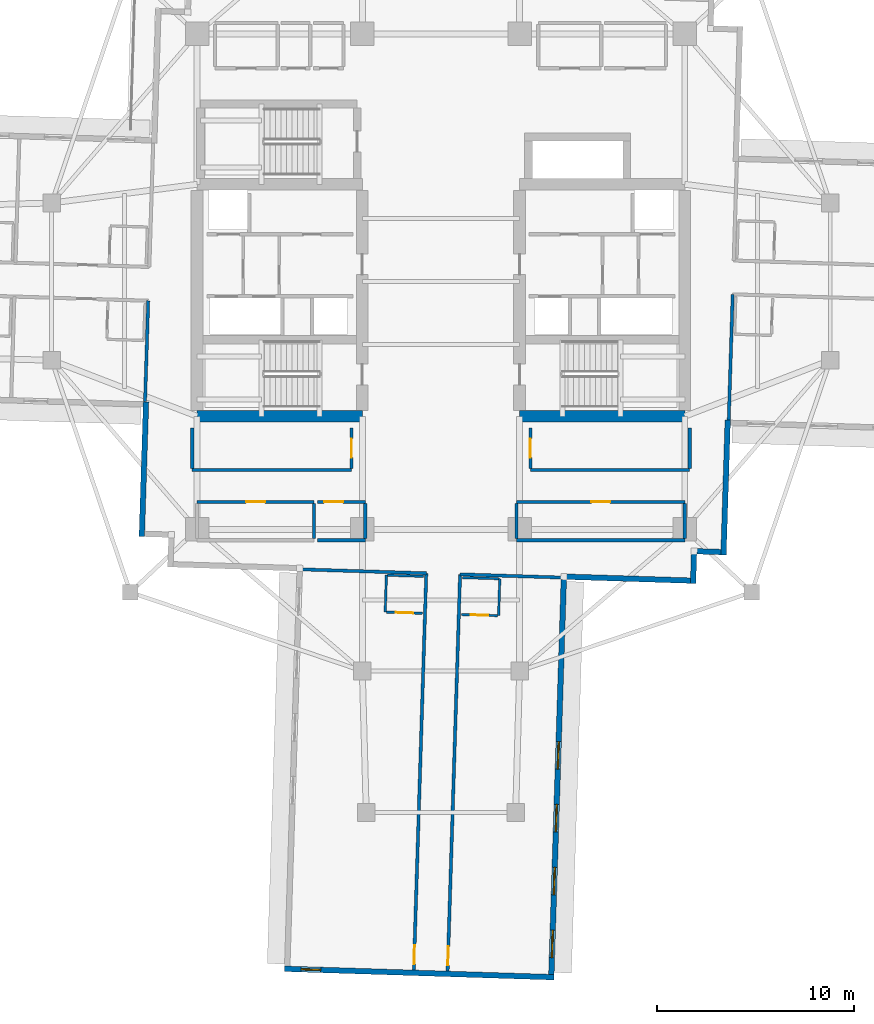
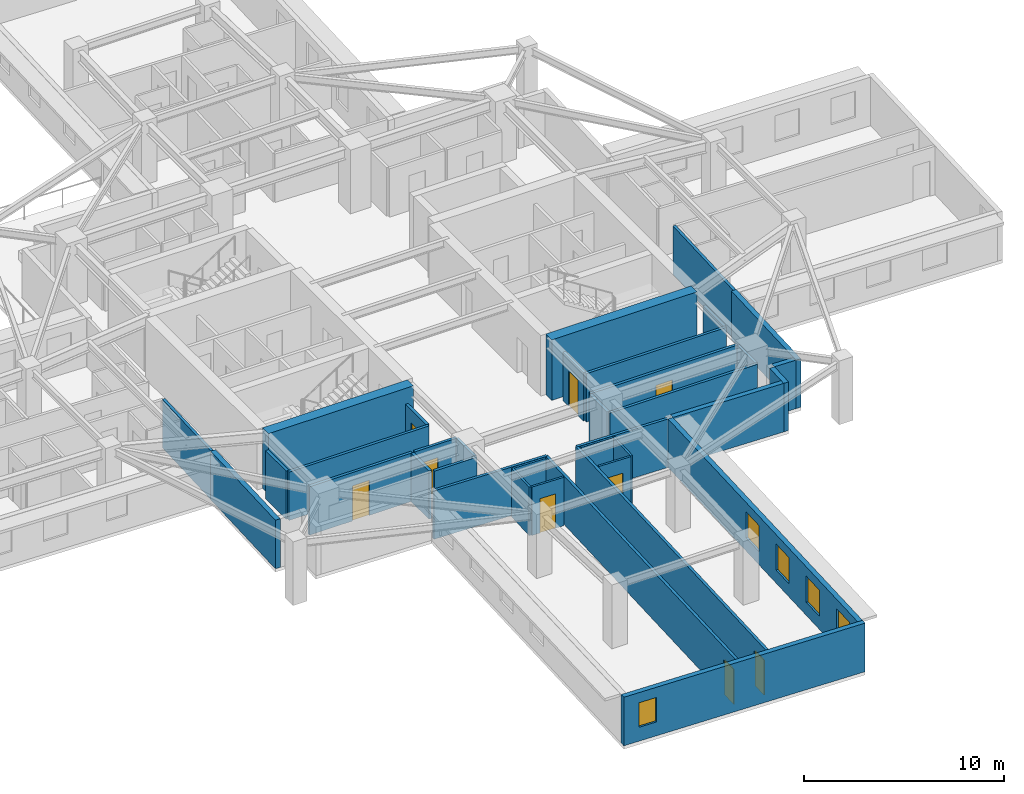
# One storey, part 3 of 13: 36 walls, 9 doors, 5 windows, 14 openings.
"""IFC4 building model written with IfcOpenShell, lengths in metres."""

from ifc_helpers import new_model, si_unit, direction, frame, frame_2d, origin, place, context, subcontext, project, spatial, rectangle, extrude, material, layer, layer_set, type_object, element, fill, save


model = new_model("IFC4")

# Units and contexts
model_context = context("Model", 3, precision=1e-05, world=origin(), true_north=direction((0.0, 1.0)))
body_context = subcontext(model_context, "Body", "Model", "MODEL_VIEW")
ifc_project = project(units=[si_unit("LENGTHUNIT", "METRE"), si_unit("AREAUNIT", "SQUARE_METRE"), si_unit("VOLUMEUNIT", "CUBIC_METRE"), si_unit("PLANEANGLEUNIT", "RADIAN"), si_unit("MASSUNIT", "GRAM", prefix="KILO")], contexts=[model_context])

# Site, building, storey
site_placement = place(None, origin())
site = spatial("IfcSite", under=ifc_project, at=site_placement, CompositionType="ELEMENT")
building_placement = place(site_placement, origin())
building = spatial("IfcBuilding", under=site, at=building_placement, Name="Qingluan Cross Belvedere", CompositionType="ELEMENT")
storey_placement = place(building_placement, frame((0.0, 0.0, 152.699951171875)))
storey = spatial("IfcBuildingStorey", under=building, at=storey_placement, Name="L38", CompositionType="ELEMENT", Elevation=152.699951171875)

# Walls
ifc_material_1 = material(Name="Concrete C60", Category="concrete")
ifc_layer_1 = layer(ifc_material_1, 0.60009765625, Name="CoreShearWall_600")
ifc_layer_set_1 = layer_set([ifc_layer_1], Name="Concrete C60")
wall_type_1 = type_object("IfcWallType", Name="CoreShearWall_600", PredefinedType="SHEAR", material=ifc_layer_set_1)
for number, where, z_axis, x_axis, name in (
    (1, (-12.39990234375, -6.85009765625, 0.0), (0.0, 0.0, 1.0), (1.0, 0.0, 0.0), "Split core W shear wall L38-S"),
    (2, (4.0, -6.85009765625, 0.0), (0.0, 0.0, 1.0), (1.0, 0.0, 0.0), "Split core E shear wall L38-S"),
):
    element("IfcWall", number, at=place(storey_placement, frame(where, z_axis=z_axis, x_axis=x_axis)), inside=storey, type_object=wall_type_1, Name=name, PredefinedType="SHEAR", context=body_context, shape_type="SweptSolid", body=[
        extrude(rectangle(XDim=8.39990234375, YDim=0.60009765625, at=frame_2d((4.199951171875, 0.0))), origin(), (0.0, 0.0, 1.0), 3.699951171875),
    ])

# Wall, opening, door
ifc_material_2 = material(Name="Gypsum plasterboard on steel stud acoustic partition", Category="steel")
ifc_layer_2 = layer(ifc_material_2, 0.159912109375, Name="CorridorPartition_160")
ifc_layer_set_2 = layer_set([ifc_layer_2], Name="Gypsum plasterboard on steel stud acoustic partition")
wall_type_2 = type_object("IfcWallType", Name="CorridorPartition_160", PredefinedType="PARTITIONING", material=ifc_layer_set_2)
wall_1_placement = place(storey_placement, frame((-12.39990234375, -11.199951171875, 0.0), z_axis=(0.0, 0.0, 1.0), x_axis=(1.0, 0.0, 0.0)))
wall_1 = element("IfcWall", 3, at=wall_1_placement, inside=storey, type_object=wall_type_2, Name="Partition L38:q_sw1:N", PredefinedType="PARTITIONING", context=body_context, shape_type="SweptSolid", body=[
    extrude(rectangle(XDim=5.949951171875, YDim=0.159912109375, at=frame_2d((2.97509765625, 0.0))), origin(), (0.0, 0.0, 1.0), 2.9599609375),
])
opening_1_placement = place(wall_1_placement, frame((2.4951171875, 0.0, 0.0)))
opening_1 = element("IfcOpeningElement", 4, at=opening_1_placement, cuts=wall_1, Name="Opening GD-10", PredefinedType="OPENING", context=body_context, shape_type="SweptSolid", body=[
    extrude(rectangle(XDim=0.9599609375, YDim=2.14990234375, at=frame_2d((0.47998046875, 1.074951171875))), frame((0.0, 0.08984375, 0.0), z_axis=(0.0, -1.0, 0.0), x_axis=(1.0, 0.0, 0.0)), (0.0, 0.0, 1.0), 0.179931640625),
])
ifc_material_3 = material(Name="Timber oak fire-rated acoustic guestroom door", Category="wood")
door_type_1 = type_object("IfcDoorType", Name="GuestEntryDoor_FD60", OperationType="NOTDEFINED", PredefinedType="DOOR", material=ifc_material_3)
door_1_placement = place(opening_1_placement, origin())
door_1 = element("IfcDoor", 5, at=door_1_placement, inside=storey, type_object=door_type_1, Name="Quiet coworking office L38 door", OperationType="SINGLE_SWING_LEFT", OverallHeight=2.14990234375, OverallWidth=0.9599609375, PredefinedType="DOOR", context=body_context, shape_type="SweptSolid", body=[
    extrude(rectangle(XDim=0.9599609375, YDim=2.14990234375, at=frame_2d((0.47998046875, 1.074951171875))), frame((0.0, 0.02490234375, 0.0), z_axis=(0.0, -1.0, 0.0), x_axis=(1.0, 0.0, 0.0)), (0.0, 0.0, 1.0), 0.050048828125),
])
fill(opening_1, door_1)

# Walls
wall_2_placement = place(storey_placement, frame((-6.449951171875, -13.06494140625, 0.0), z_axis=(0.0, 0.0, 1.0), x_axis=(0.0, 1.0, 0.0)))
element("IfcWall", 6, at=wall_2_placement, inside=storey, type_object=wall_type_2, Name="Partition L38:q_sw1:E", PredefinedType="PARTITIONING", context=body_context, shape_type="SweptSolid", body=[
    extrude(rectangle(XDim=1.780029296875, YDim=0.159912109375, at=frame_2d((0.89013671875, 0.0))), origin(), (0.0, 0.0, 1.0), 2.9599609375),
])
wall_3_placement = place(storey_placement, frame((-6.2900390625, -13.14990234375, 0.0), z_axis=(0.0, 0.0, 1.0), x_axis=(1.0, 0.0, 0.0)))
element("IfcWall", 7, at=wall_3_placement, inside=storey, type_object=wall_type_2, Name="Partition L38:q_sw2:S", PredefinedType="PARTITIONING", context=body_context, shape_type="SweptSolid", body=[
    extrude(rectangle(XDim=2.43994140625, YDim=0.159912109375, at=frame_2d((1.219970703125, 0.0))), origin(), (0.0, 0.0, 1.0), 2.9599609375),
])

# Wall, opening, door
wall_4_placement = place(storey_placement, frame((-6.2900390625, -11.199951171875, 0.0), z_axis=(0.0, 0.0, 1.0), x_axis=(1.0, 0.0, 0.0)))
wall_4 = element("IfcWall", 8, at=wall_4_placement, inside=storey, type_object=wall_type_2, Name="Partition L38:q_sw2:N", PredefinedType="PARTITIONING", context=body_context, shape_type="SweptSolid", body=[
    extrude(rectangle(XDim=2.43994140625, YDim=0.159912109375, at=frame_2d((1.219970703125, 0.0))), origin(), (0.0, 0.0, 1.0), 2.9599609375),
])
opening_2_placement = place(wall_4_placement, frame((0.35009765625, 0.0, 0.0)))
opening_2 = element("IfcOpeningElement", 9, at=opening_2_placement, cuts=wall_4, Name="Opening GD-10", PredefinedType="OPENING", context=body_context, shape_type="SweptSolid", body=[
    extrude(rectangle(XDim=0.9599609375, YDim=2.14990234375, at=frame_2d((0.47998046875, 1.074951171875))), frame((0.0, 0.08984375, 0.0), z_axis=(0.0, -1.0, 0.0), x_axis=(1.0, 0.0, 0.0)), (0.0, 0.0, 1.0), 0.179931640625),
])
door_2_placement = place(opening_2_placement, origin())
door_2 = element("IfcDoor", 10, at=door_2_placement, inside=storey, type_object=door_type_1, Name="Southwest reading room L38 door", OperationType="SINGLE_SWING_RIGHT", OverallHeight=2.14990234375, OverallWidth=0.9599609375, PredefinedType="DOOR", context=body_context, shape_type="SweptSolid", body=[
    extrude(rectangle(XDim=0.9599609375, YDim=2.14990234375, at=frame_2d((0.47998046875, 1.074951171875))), frame((0.0, 0.02490234375, 0.0), z_axis=(0.0, -1.0, 0.0), x_axis=(1.0, 0.0, 0.0)), (0.0, 0.0, 1.0), 0.050048828125),
])
fill(opening_2, door_2)

# Walls
wall_5_placement = place(storey_placement, frame((-3.85009765625, -13.06494140625, 0.0), z_axis=(0.0, 0.0, 1.0), x_axis=(0.0, 1.0, 0.0)))
element("IfcWall", 11, at=wall_5_placement, inside=storey, type_object=wall_type_2, Name="Partition L38:q_sw2:E", PredefinedType="PARTITIONING", context=body_context, shape_type="SweptSolid", body=[
    extrude(rectangle(XDim=1.780029296875, YDim=0.159912109375, at=frame_2d((0.89013671875, 0.0))), origin(), (0.0, 0.0, 1.0), 2.9599609375),
])
wall_6_placement = place(storey_placement, frame((3.85009765625, -13.14990234375, 0.0), z_axis=(0.0, 0.0, 1.0), x_axis=(1.0, 0.0, 0.0)))
element("IfcWall", 12, at=wall_6_placement, inside=storey, type_object=wall_type_2, Name="Partition L38:q_se:S", PredefinedType="PARTITIONING", context=body_context, shape_type="SweptSolid", body=[
    extrude(rectangle(XDim=8.5498046875, YDim=0.159912109375, at=frame_2d((4.27490234375, 0.0))), origin(), (0.0, 0.0, 1.0), 2.9599609375),
])

# Wall, opening, door
wall_7_placement = place(storey_placement, frame((3.85009765625, -11.199951171875, 0.0), z_axis=(0.0, 0.0, 1.0), x_axis=(1.0, 0.0, 0.0)))
wall_7 = element("IfcWall", 13, at=wall_7_placement, inside=storey, type_object=wall_type_2, Name="Partition L38:q_se:N", PredefinedType="PARTITIONING", context=body_context, shape_type="SweptSolid", body=[
    extrude(rectangle(XDim=8.5498046875, YDim=0.159912109375, at=frame_2d((4.27490234375, 0.0))), origin(), (0.0, 0.0, 1.0), 2.9599609375),
])
opening_3_placement = place(wall_7_placement, frame((3.794921875, 0.0, 0.0)))
opening_3 = element("IfcOpeningElement", 14, at=opening_3_placement, cuts=wall_7, Name="Opening GD-10", PredefinedType="OPENING", context=body_context, shape_type="SweptSolid", body=[
    extrude(rectangle(XDim=0.9599609375, YDim=2.14990234375, at=frame_2d((0.47998046875, 1.074951171875))), frame((0.0, 0.08984375, 0.0), z_axis=(0.0, -1.0, 0.0), x_axis=(1.0, 0.0, 0.0)), (0.0, 0.0, 1.0), 0.179931640625),
])
door_3_placement = place(opening_3_placement, origin())
door_3 = element("IfcDoor", 15, at=door_3_placement, inside=storey, type_object=door_type_1, Name="Espresso servery pantry L38 door", OperationType="SINGLE_SWING_LEFT", OverallHeight=2.14990234375, OverallWidth=0.9599609375, PredefinedType="DOOR", context=body_context, shape_type="SweptSolid", body=[
    extrude(rectangle(XDim=0.9599609375, YDim=2.14990234375, at=frame_2d((0.47998046875, 1.074951171875))), frame((0.0, 0.02490234375, 0.0), z_axis=(0.0, -1.0, 0.0), x_axis=(1.0, 0.0, 0.0)), (0.0, 0.0, 1.0), 0.050048828125),
])
fill(opening_3, door_3)

# Walls
for number, where, z_axis, x_axis, name in (
    (16, (3.85009765625, -13.06494140625, 0.0), (0.0, 0.0, 1.0), (0.0, 1.0, 0.0), "Partition L38:q_se:W"),
    (17, (12.39990234375, -13.06494140625, 0.0), (0.0, 0.0, 1.0), (0.0, 1.0, 0.0), "Partition L38:q_se:E"),
):
    element("IfcWall", number, at=place(storey_placement, frame(where, z_axis=z_axis, x_axis=x_axis)), inside=storey, type_object=wall_type_2, Name=name, PredefinedType="PARTITIONING", context=body_context, shape_type="SweptSolid", body=[
        extrude(rectangle(XDim=1.780029296875, YDim=0.159912109375, at=frame_2d((0.89013671875, 0.0))), origin(), (0.0, 0.0, 1.0), 2.9599609375),
    ])
wall_8_placement = place(storey_placement, frame((4.550048828125, -9.580078125, 0.0), z_axis=(0.0, 0.0, 1.0), x_axis=(1.0, 0.0, 0.0)))
element("IfcWall", 18, at=wall_8_placement, inside=storey, type_object=wall_type_2, Name="Partition L38:rec_st4:S", PredefinedType="PARTITIONING", context=body_context, shape_type="SweptSolid", body=[
    extrude(rectangle(XDim=8.099853515625, YDim=0.159912109375, at=frame_2d((4.0498046875, 0.0))), origin(), (0.0, 0.0, 1.0), 2.9599609375),
])

# Wall, opening, door
wall_9_placement = place(storey_placement, frame((4.550048828125, -9.4951171875, 0.0), z_axis=(0.0, 0.0, 1.0), x_axis=(0.0, 1.0, 0.0)))
wall_9 = element("IfcWall", 19, at=wall_9_placement, inside=storey, type_object=wall_type_2, Name="Partition L38:rec_st4:W", PredefinedType="PARTITIONING", context=body_context, shape_type="SweptSolid", body=[
    extrude(rectangle(XDim=2.06005859375, YDim=0.159912109375, at=frame_2d((1.030029296875, 0.0))), origin(), (0.0, 0.0, 1.0), 2.9599609375),
])
opening_4_placement = place(wall_9_placement, frame((0.550048828125, 0.0, 0.0)))
opening_4 = element("IfcOpeningElement", 20, at=opening_4_placement, cuts=wall_9, Name="Opening GD-10", PredefinedType="OPENING", context=body_context, shape_type="SweptSolid", body=[
    extrude(rectangle(XDim=0.9599609375, YDim=2.14990234375, at=frame_2d((0.47998046875, 1.074951171875))), frame((0.0, 0.08984375, 0.0), z_axis=(0.0, -1.0, 0.0), x_axis=(1.0, 0.0, 0.0)), (0.0, 0.0, 1.0), 0.179931640625),
])
door_4_placement = place(opening_4_placement, origin())
door_4 = element("IfcDoor", 21, at=door_4_placement, inside=storey, type_object=door_type_1, Name="Southeast club library room L38 door", OperationType="SINGLE_SWING_RIGHT", OverallHeight=2.14990234375, OverallWidth=0.9599609375, PredefinedType="DOOR", context=body_context, shape_type="SweptSolid", body=[
    extrude(rectangle(XDim=0.9599609375, YDim=2.14990234375, at=frame_2d((0.47998046875, 1.074951171875))), frame((0.0, 0.02490234375, 0.0), z_axis=(0.0, -1.0, 0.0), x_axis=(1.0, 0.0, 0.0)), (0.0, 0.0, 1.0), 0.050048828125),
])
fill(opening_4, door_4)

# Walls
wall_10_placement = place(storey_placement, frame((12.64990234375, -9.4951171875, 0.0), z_axis=(0.0, 0.0, 1.0), x_axis=(0.0, 1.0, 0.0)))
element("IfcWall", 22, at=wall_10_placement, inside=storey, type_object=wall_type_2, Name="Partition L38:rec_st4:E", PredefinedType="PARTITIONING", context=body_context, shape_type="SweptSolid", body=[
    extrude(rectangle(XDim=2.06005859375, YDim=0.159912109375, at=frame_2d((1.030029296875, 0.0))), origin(), (0.0, 0.0, 1.0), 2.9599609375),
])
wall_11_placement = place(storey_placement, frame((-12.64990234375, -9.580078125, 0.0), z_axis=(0.0, 0.0, 1.0), x_axis=(1.0, 0.0, 0.0)))
element("IfcWall", 23, at=wall_11_placement, inside=storey, type_object=wall_type_2, Name="Partition L38:rec_st4_w:S", PredefinedType="PARTITIONING", context=body_context, shape_type="SweptSolid", body=[
    extrude(rectangle(XDim=8.099853515625, YDim=0.159912109375, at=frame_2d((4.0498046875, 0.0))), origin(), (0.0, 0.0, 1.0), 2.9599609375),
])
wall_12_placement = place(storey_placement, frame((-12.64990234375, -9.4951171875, 0.0), z_axis=(0.0, 0.0, 1.0), x_axis=(0.0, 1.0, 0.0)))
element("IfcWall", 24, at=wall_12_placement, inside=storey, type_object=wall_type_2, Name="Partition L38:rec_st4_w:W", PredefinedType="PARTITIONING", context=body_context, shape_type="SweptSolid", body=[
    extrude(rectangle(XDim=2.06005859375, YDim=0.159912109375, at=frame_2d((1.030029296875, 0.0))), origin(), (0.0, 0.0, 1.0), 2.9599609375),
])

# Wall, opening, door
wall_13_placement = place(storey_placement, frame((-4.550048828125, -9.4951171875, 0.0), z_axis=(0.0, 0.0, 1.0), x_axis=(0.0, 1.0, 0.0)))
wall_13 = element("IfcWall", 25, at=wall_13_placement, inside=storey, type_object=wall_type_2, Name="Partition L38:rec_st4_w:E", PredefinedType="PARTITIONING", context=body_context, shape_type="SweptSolid", body=[
    extrude(rectangle(XDim=2.06005859375, YDim=0.159912109375, at=frame_2d((1.030029296875, 0.0))), origin(), (0.0, 0.0, 1.0), 2.9599609375),
])
opening_5_placement = place(wall_13_placement, frame((0.550048828125, 0.0, 0.0)))
opening_5 = element("IfcOpeningElement", 26, at=opening_5_placement, cuts=wall_13, Name="Opening GD-10", PredefinedType="OPENING", context=body_context, shape_type="SweptSolid", body=[
    extrude(rectangle(XDim=0.9599609375, YDim=2.14990234375, at=frame_2d((0.47998046875, 1.074951171875))), frame((0.0, 0.08984375, 0.0), z_axis=(0.0, -1.0, 0.0), x_axis=(1.0, 0.0, 0.0)), (0.0, 0.0, 1.0), 0.179931640625),
])
door_5_placement = place(opening_5_placement, origin())
door_5 = element("IfcDoor", 27, at=door_5_placement, inside=storey, type_object=door_type_1, Name="Southwest club reading room L38 door", OperationType="SINGLE_SWING_LEFT", OverallHeight=2.14990234375, OverallWidth=0.9599609375, PredefinedType="DOOR", context=body_context, shape_type="SweptSolid", body=[
    extrude(rectangle(XDim=0.9599609375, YDim=2.14990234375, at=frame_2d((0.47998046875, 1.074951171875))), frame((0.0, 0.02490234375, 0.0), z_axis=(0.0, -1.0, 0.0), x_axis=(1.0, 0.0, 0.0)), (0.0, 0.0, 1.0), 0.050048828125),
])
fill(opening_5, door_5)

# Walls
wall_14_placement = place(storey_placement, frame((14.8369140625, -0.646484375, 0.0), z_axis=(0.0, 0.0, 1.0), x_axis=(-0.03139692563, -0.999506995004, 0.0)))
element("IfcWall", 28, at=wall_14_placement, inside=storey, type_object=wall_type_2, Name="Partition L38:E:s1", PredefinedType="PARTITIONING", context=body_context, shape_type="SweptSolid", body=[
    extrude(rectangle(XDim=6.391845703125, YDim=0.159912109375, at=frame_2d((3.19580078125, 0.0))), origin(), (0.0, 0.0, 1.0), 2.9599609375),
])
wall_15_placement = place(storey_placement, frame((-14.887939453125, -0.972900390625, 0.0), z_axis=(0.0, 0.0, 1.0), x_axis=(-0.031445650224, -0.999505463258, 0.0)))
element("IfcWall", 29, at=wall_15_placement, inside=storey, type_object=wall_type_2, Name="Partition L38:W:s1", PredefinedType="PARTITIONING", context=body_context, shape_type="SweptSolid", body=[
    extrude(rectangle(XDim=5.1318359375, YDim=0.159912109375, at=frame_2d((2.56591796875, 0.0))), origin(), (0.0, 0.0, 1.0), 2.9599609375),
])

# Wall, opening, door
wall_16_placement = place(storey_placement, frame((0.972900390625, -14.887939453125, 0.0), z_axis=(0.0, 0.0, 1.0), x_axis=(-0.031416030536, -0.99950639469, 0.0)))
wall_16 = element("IfcWall", 30, at=wall_16_placement, inside=storey, type_object=wall_type_2, Name="Partition L38:S:c0", PredefinedType="PARTITIONING", context=body_context, shape_type="SweptSolid", body=[
    extrude(rectangle(XDim=20.181884765625, YDim=0.159912109375, at=frame_2d((10.0908203125, 0.0))), origin(), (0.0, 0.0, 1.0), 2.9599609375),
])
opening_6_placement = place(wall_16_placement, frame((18.929931640625, 0.0, 0.0)))
opening_6 = element("IfcOpeningElement", 31, at=opening_6_placement, cuts=wall_16, Name="Opening GD-10", PredefinedType="OPENING", context=body_context, shape_type="SweptSolid", body=[
    extrude(rectangle(XDim=0.9599609375, YDim=2.14990234375, at=frame_2d((0.47998046875, 1.074951171875))), frame((0.0, 0.08984375, 0.0), z_axis=(0.0, -1.0, 0.0), x_axis=(1.0, 0.0, 0.0)), (0.0, 0.0, 1.0), 0.179931640625),
])
door_6_placement = place(opening_6_placement, origin())
door_6 = element("IfcDoor", 32, at=door_6_placement, inside=storey, type_object=door_type_1, Name="Guest entry fire door 3813", OperationType="SINGLE_SWING_RIGHT", OverallHeight=2.14990234375, OverallWidth=0.9599609375, PredefinedType="DOOR", context=body_context, shape_type="SweptSolid", body=[
    extrude(rectangle(XDim=0.9599609375, YDim=2.14990234375, at=frame_2d((0.47998046875, 1.074951171875))), frame((0.0, 0.02490234375, 0.0), z_axis=(0.0, -1.0, 0.0), x_axis=(1.0, 0.0, 0.0)), (0.0, 0.0, 1.0), 0.050048828125),
])
fill(opening_6, door_6)

# Wall
wall_17_placement = place(storey_placement, frame((0.972900390625, -14.887939453125, 0.0), z_axis=(0.0, 0.0, 1.0), x_axis=(0.99950701053, -0.031396431354, 0.0)))
element("IfcWall", 33, at=wall_17_placement, inside=storey, type_object=wall_type_2, Name="Partition L38:S:s0", PredefinedType="PARTITIONING", context=body_context, shape_type="SweptSolid", body=[
    extrude(rectangle(XDim=5.280029296875, YDim=0.159912109375, at=frame_2d((2.64013671875, 0.0))), origin(), (0.0, 0.0, 1.0), 2.9599609375),
])

# Wall, opening, door
wall_18_placement = place(storey_placement, frame((-0.746337890625, -14.833984375, 0.0), z_axis=(0.0, 0.0, 1.0), x_axis=(-0.031416030536, -0.99950639469, 0.0)))
wall_18 = element("IfcWall", 34, at=wall_18_placement, inside=storey, type_object=wall_type_2, Name="Partition L38:S:c1", PredefinedType="PARTITIONING", context=body_context, shape_type="SweptSolid", body=[
    extrude(rectangle(XDim=20.181884765625, YDim=0.159912109375, at=frame_2d((10.0908203125, 0.0))), origin(), (0.0, 0.0, 1.0), 2.9599609375),
])
opening_7_placement = place(wall_18_placement, frame((18.929931640625, 0.0, 0.0)))
opening_7 = element("IfcOpeningElement", 35, at=opening_7_placement, cuts=wall_18, Name="Opening GD-10", PredefinedType="OPENING", context=body_context, shape_type="SweptSolid", body=[
    extrude(rectangle(XDim=0.9599609375, YDim=2.14990234375, at=frame_2d((0.47998046875, 1.074951171875))), frame((0.0, 0.08984375, 0.0), z_axis=(0.0, -1.0, 0.0), x_axis=(1.0, 0.0, 0.0)), (0.0, 0.0, 1.0), 0.179931640625),
])
door_7_placement = place(opening_7_placement, origin())
door_7 = element("IfcDoor", 36, at=door_7_placement, inside=storey, type_object=door_type_1, Name="Guest entry fire door 3814", OperationType="SINGLE_SWING_RIGHT", OverallHeight=2.14990234375, OverallWidth=0.9599609375, PredefinedType="DOOR", context=body_context, shape_type="SweptSolid", body=[
    extrude(rectangle(XDim=0.9599609375, YDim=2.14990234375, at=frame_2d((0.47998046875, 1.074951171875))), frame((0.0, 0.02490234375, 0.0), z_axis=(0.0, -1.0, 0.0), x_axis=(1.0, 0.0, 0.0)), (0.0, 0.0, 1.0), 0.050048828125),
])
fill(opening_7, door_7)

# Wall
wall_19_placement = place(storey_placement, frame((-0.746337890625, -14.833984375, 0.0), z_axis=(0.0, 0.0, 1.0), x_axis=(-0.999506028801, 0.031427669178, 0.0)))
element("IfcWall", 37, at=wall_19_placement, inside=storey, type_object=wall_type_2, Name="Partition L38:S:s1", PredefinedType="PARTITIONING", context=body_context, shape_type="SweptSolid", body=[
    extrude(rectangle(XDim=6.43994140625, YDim=0.159912109375, at=frame_2d((3.219970703125, 0.0))), origin(), (0.0, 0.0, 1.0), 2.9599609375),
])

# Wall, opening, door
ifc_material_4 = material(Name="Moisture-resistant gypsum board lining")
ifc_layer_3 = layer(ifc_material_4, 0.1201171875, Name="EnsuiteWetPartition_120")
ifc_layer_set_3 = layer_set([ifc_layer_3], Name="Moisture-resistant gypsum board lining")
wall_type_3 = type_object("IfcWallType", Name="EnsuiteWetPartition_120", PredefinedType="PARTITIONING", material=ifc_layer_set_3)
wall_20_placement = place(storey_placement, frame((1.048583984375, -16.931396484375, 0.0), z_axis=(0.0, 0.0, 1.0), x_axis=(0.999507353951, -0.031385496622, 0.0)))
wall_20 = element("IfcWall", 38, at=wall_20_placement, inside=storey, type_object=wall_type_3, Name="Partition L38:S:bs0_0", PredefinedType="PARTITIONING", context=body_context, shape_type="SweptSolid", body=[
    extrude(rectangle(XDim=1.8203125, YDim=0.1201171875, at=frame_2d((0.91015625, 0.0))), origin(), (0.0, 0.0, 1.0), 2.9599609375),
])
opening_8_placement = place(wall_20_placement, frame((0.469970703125, 0.0, 0.0)))
opening_8 = element("IfcOpeningElement", 39, at=opening_8_placement, cuts=wall_20, Name="Opening BD-09", PredefinedType="OPENING", context=body_context, shape_type="SweptSolid", body=[
    extrude(rectangle(XDim=0.8798828125, YDim=2.10009765625, at=frame_2d((0.43994140625, 1.050048828125))), frame((0.0, 0.070068359375, 0.0), z_axis=(0.0, -1.0, 0.0), x_axis=(1.0, 0.0, 0.0)), (0.0, 0.0, 1.0), 0.14013671875),
])
ifc_material_5 = material(Name="Moisture-sealed timber en-suite door", Category="wood")
door_type_2 = type_object("IfcDoorType", Name="BathroomDoor_880", OperationType="NOTDEFINED", PredefinedType="DOOR", material=ifc_material_5)
door_8_placement = place(opening_8_placement, origin())
door_8 = element("IfcDoor", 40, at=door_8_placement, inside=storey, type_object=door_type_2, Name="Bathroom door 3813", OperationType="SINGLE_SWING_LEFT", OverallHeight=2.10009765625, OverallWidth=0.8798828125, PredefinedType="DOOR", context=body_context, shape_type="SweptSolid", body=[
    extrude(rectangle(XDim=0.8798828125, YDim=2.10009765625, at=frame_2d((0.43994140625, 1.050048828125))), frame((0.0, 0.02490234375, 0.0), z_axis=(0.0, -1.0, 0.0), x_axis=(1.0, 0.0, 0.0)), (0.0, 0.0, 1.0), 0.050048828125),
])
fill(opening_8, door_8)

# Walls
wall_21_placement = place(storey_placement, frame((1.107666015625, -15.05224609375, 0.0), z_axis=(0.0, 0.0, 1.0), x_axis=(0.999507221803, -0.031389704724, 0.0)))
element("IfcWall", 41, at=wall_21_placement, inside=storey, type_object=wall_type_3, Name="Partition L38:S:bw0_0", PredefinedType="PARTITIONING", context=body_context, shape_type="SweptSolid", body=[
    extrude(rectangle(XDim=1.820068359375, YDim=0.1201171875, at=frame_2d((0.91015625, 0.0))), origin(), (0.0, 0.0, 1.0), 2.9599609375),
])
wall_22_placement = place(storey_placement, frame((2.99169921875, -15.111328125, 0.0), z_axis=(0.0, 0.0, 1.0), x_axis=(-0.031295563454, -0.999510173889, 0.0)))
element("IfcWall", 42, at=wall_22_placement, inside=storey, type_object=wall_type_3, Name="Partition L38:S:bn0_0", PredefinedType="PARTITIONING", context=body_context, shape_type="SweptSolid", body=[
    extrude(rectangle(XDim=1.880126953125, YDim=0.1201171875, at=frame_2d((0.93994140625, 0.0))), origin(), (0.0, 0.0, 1.0), 2.9599609375),
])

# Wall, opening, door
wall_23_placement = place(storey_placement, frame((-2.769287109375, -16.811279296875, 0.0), z_axis=(0.0, 0.0, 1.0), x_axis=(0.999507221803, -0.031389704724, 0.0)))
wall_23 = element("IfcWall", 43, at=wall_23_placement, inside=storey, type_object=wall_type_3, Name="Partition L38:S:bs1_0", PredefinedType="PARTITIONING", context=body_context, shape_type="SweptSolid", body=[
    extrude(rectangle(XDim=1.820068359375, YDim=0.1201171875, at=frame_2d((0.91015625, 0.0))), origin(), (0.0, 0.0, 1.0), 2.9599609375),
])
opening_9_placement = place(wall_23_placement, frame((0.469970703125, 0.0, 0.0)))
opening_9 = element("IfcOpeningElement", 44, at=opening_9_placement, cuts=wall_23, Name="Opening BD-09", PredefinedType="OPENING", context=body_context, shape_type="SweptSolid", body=[
    extrude(rectangle(XDim=0.8798828125, YDim=2.10009765625, at=frame_2d((0.43994140625, 1.050048828125))), frame((0.0, 0.070068359375, 0.0), z_axis=(0.0, -1.0, 0.0), x_axis=(1.0, 0.0, 0.0)), (0.0, 0.0, 1.0), 0.14013671875),
])
door_9_placement = place(opening_9_placement, origin())
door_9 = element("IfcDoor", 45, at=door_9_placement, inside=storey, type_object=door_type_2, Name="Bathroom door 3814", OperationType="SINGLE_SWING_LEFT", OverallHeight=2.10009765625, OverallWidth=0.8798828125, PredefinedType="DOOR", context=body_context, shape_type="SweptSolid", body=[
    extrude(rectangle(XDim=0.8798828125, YDim=2.10009765625, at=frame_2d((0.43994140625, 1.050048828125))), frame((0.0, 0.02490234375, 0.0), z_axis=(0.0, -1.0, 0.0), x_axis=(1.0, 0.0, 0.0)), (0.0, 0.0, 1.0), 0.050048828125),
])
fill(opening_9, door_9)

# Walls
wall_24_placement = place(storey_placement, frame((-2.71044921875, -14.93212890625, 0.0), z_axis=(0.0, 0.0, 1.0), x_axis=(0.999503004171, -0.03152371574, 0.0)))
element("IfcWall", 46, at=wall_24_placement, inside=storey, type_object=wall_type_3, Name="Partition L38:S:bw1_0", PredefinedType="PARTITIONING", context=body_context, shape_type="SweptSolid", body=[
    extrude(rectangle(XDim=1.820068359375, YDim=0.1201171875, at=frame_2d((0.91015625, 0.0))), origin(), (0.0, 0.0, 1.0), 2.9599609375),
])
wall_25_placement = place(storey_placement, frame((-2.775390625, -14.93017578125, 0.0), z_axis=(0.0, 0.0, 1.0), x_axis=(-0.031425292588, -0.999506103526, 0.0)))
element("IfcWall", 47, at=wall_25_placement, inside=storey, type_object=wall_type_3, Name="Partition L38:S:bc1_0", PredefinedType="PARTITIONING", context=body_context, shape_type="SweptSolid", body=[
    extrude(rectangle(XDim=1.880126953125, YDim=0.1201171875, at=frame_2d((0.93994140625, 0.0))), origin(), (0.0, 0.0, 1.0), 2.9599609375),
])

# Wall, openings, windows
ifc_material_6 = material(Name="Precast concrete C45", Category="concrete")
ifc_layer_4 = layer(ifc_material_6, 0.280029296875, Name="PrecastFacadeWall_280")
ifc_layer_set_4 = layer_set([ifc_layer_4], Name="Precast concrete C45")
wall_type_4 = type_object("IfcWallType", Name="PrecastFacadeWall_280", PredefinedType="STANDARD", material=ifc_layer_set_4)
wall_26_placement = place(storey_placement, frame((5.6162109375, -35.23388671875, 0.0), z_axis=(0.0, 0.0, 1.0), x_axis=(0.031398187845, 0.999506955354, 0.0)))
wall_26 = element("IfcWall", 48, at=wall_26_placement, inside=storey, type_object=wall_type_4, Name="Facade wall L38-SB", PredefinedType="STANDARD", context=body_context, shape_type="SweptSolid", body=[
    extrude(rectangle(XDim=20.10009765625, YDim=0.280029296875, at=frame_2d((10.050048828125, 0.0))), origin(), (0.0, 0.0, 1.0), 2.969970703125),
])
opening_10_placement = place(wall_26_placement, frame((0.85009765625, 0.0, 0.800048828125)))
opening_10 = element("IfcOpeningElement", 49, at=opening_10_placement, cuts=wall_26, Name="Opening W-01", PredefinedType="OPENING", context=body_context, shape_type="SweptSolid", body=[
    extrude(rectangle(XDim=1.39990234375, YDim=1.60009765625, at=frame_2d((0.699951171875, 0.800048828125))), frame((0.0, 0.14990234375, 0.0), z_axis=(0.0, -1.0, 0.0), x_axis=(1.0, 0.0, 0.0)), (0.0, 0.0, 1.0), 0.300048828125),
])
opening_11_placement = place(wall_26_placement, frame((4.050048828125, 0.0, 0.800048828125)))
opening_11 = element("IfcOpeningElement", 50, at=opening_11_placement, cuts=wall_26, Name="Opening W-01", PredefinedType="OPENING", context=body_context, shape_type="SweptSolid", body=[
    extrude(rectangle(XDim=1.39990234375, YDim=1.60009765625, at=frame_2d((0.699951171875, 0.800048828125))), frame((0.0, 0.14990234375, 0.0), z_axis=(0.0, -1.0, 0.0), x_axis=(1.0, 0.0, 0.0)), (0.0, 0.0, 1.0), 0.300048828125),
])
opening_12_placement = place(wall_26_placement, frame((7.25, 0.0, 0.800048828125)))
opening_12 = element("IfcOpeningElement", 51, at=opening_12_placement, cuts=wall_26, Name="Opening W-01", PredefinedType="OPENING", context=body_context, shape_type="SweptSolid", body=[
    extrude(rectangle(XDim=1.39990234375, YDim=1.60009765625, at=frame_2d((0.699951171875, 0.800048828125))), frame((0.0, 0.14990234375, 0.0), z_axis=(0.0, -1.0, 0.0), x_axis=(1.0, 0.0, 0.0)), (0.0, 0.0, 1.0), 0.300048828125),
])
opening_13_placement = place(wall_26_placement, frame((10.449951171875, 0.0, 0.800048828125)))
opening_13 = element("IfcOpeningElement", 52, at=opening_13_placement, cuts=wall_26, Name="Opening W-01", PredefinedType="OPENING", context=body_context, shape_type="SweptSolid", body=[
    extrude(rectangle(XDim=1.39990234375, YDim=1.60009765625, at=frame_2d((0.699951171875, 0.800048828125))), frame((0.0, 0.14990234375, 0.0), z_axis=(0.0, -1.0, 0.0), x_axis=(1.0, 0.0, 0.0)), (0.0, 0.0, 1.0), 0.300048828125),
])
ifc_material_7 = material(Name="Thermally broken triple Low-E glass in aluminium frame", Category="aluminium")
window_type_1 = type_object("IfcWindowType", Name="TriRibbonWin_1400x1600", PartitioningType="SINGLE_PANEL", PredefinedType="WINDOW", material=ifc_material_7)
window_1_placement = place(opening_10_placement, origin())
window_1 = element("IfcWindow", 53, at=window_1_placement, inside=storey, type_object=window_type_1, Name="Ribbon window L38-SB-1", OverallHeight=1.60009765625, OverallWidth=1.39990234375, PartitioningType="SINGLE_PANEL", PredefinedType="WINDOW", context=body_context, shape_type="SweptSolid", body=[
    extrude(rectangle(XDim=1.39990234375, YDim=1.60009765625, at=frame_2d((0.699951171875, 0.800048828125))), frame((0.0, 0.030029296875, 0.0), z_axis=(0.0, -1.0, 0.0), x_axis=(1.0, 0.0, 0.0)), (0.0, 0.0, 1.0), 0.06005859375),
])
fill(opening_10, window_1)
window_2_placement = place(opening_11_placement, origin())
window_2 = element("IfcWindow", 54, at=window_2_placement, inside=storey, type_object=window_type_1, Name="Ribbon window L38-SB-2", OverallHeight=1.60009765625, OverallWidth=1.39990234375, PartitioningType="SINGLE_PANEL", PredefinedType="WINDOW", context=body_context, shape_type="SweptSolid", body=[
    extrude(rectangle(XDim=1.39990234375, YDim=1.60009765625, at=frame_2d((0.699951171875, 0.800048828125))), frame((0.0, 0.030029296875, 0.0), z_axis=(0.0, -1.0, 0.0), x_axis=(1.0, 0.0, 0.0)), (0.0, 0.0, 1.0), 0.06005859375),
])
fill(opening_11, window_2)
window_3_placement = place(opening_12_placement, origin())
window_3 = element("IfcWindow", 55, at=window_3_placement, inside=storey, type_object=window_type_1, Name="Ribbon window L38-SB-3", OverallHeight=1.60009765625, OverallWidth=1.39990234375, PartitioningType="SINGLE_PANEL", PredefinedType="WINDOW", context=body_context, shape_type="SweptSolid", body=[
    extrude(rectangle(XDim=1.39990234375, YDim=1.60009765625, at=frame_2d((0.699951171875, 0.800048828125))), frame((0.0, 0.030029296875, 0.0), z_axis=(0.0, -1.0, 0.0), x_axis=(1.0, 0.0, 0.0)), (0.0, 0.0, 1.0), 0.06005859375),
])
fill(opening_12, window_3)
window_4_placement = place(opening_13_placement, origin())
window_4 = element("IfcWindow", 56, at=window_4_placement, inside=storey, type_object=window_type_1, Name="Ribbon window L38-SB-4", OverallHeight=1.60009765625, OverallWidth=1.39990234375, PartitioningType="SINGLE_PANEL", PredefinedType="WINDOW", context=body_context, shape_type="SweptSolid", body=[
    extrude(rectangle(XDim=1.39990234375, YDim=1.60009765625, at=frame_2d((0.699951171875, 0.800048828125))), frame((0.0, 0.030029296875, 0.0), z_axis=(0.0, -1.0, 0.0), x_axis=(1.0, 0.0, 0.0)), (0.0, 0.0, 1.0), 0.06005859375),
])
fill(opening_13, window_4)

# Wall, opening, window
wall_27_placement = place(storey_placement, frame((-7.961669921875, -34.947265625, 0.0), z_axis=(0.0, 0.0, 1.0), x_axis=(0.999506679556, -0.031406966164, 0.0)))
wall_27 = element("IfcWall", 57, at=wall_27_placement, inside=storey, type_object=wall_type_4, Name="Arm tip precast facade wall L38-S", PredefinedType="STANDARD", context=body_context, shape_type="SweptSolid", body=[
    extrude(rectangle(XDim=13.72021484375, YDim=0.280029296875, at=frame_2d((6.860107421875, 0.0))), origin(), (0.0, 0.0, 1.0), 2.969970703125),
])
opening_14_placement = place(wall_27_placement, frame((0.85009765625, 0.0, 0.85009765625)))
opening_14 = element("IfcOpeningElement", 58, at=opening_14_placement, cuts=wall_27, Name="Opening W-03", PredefinedType="OPENING", context=body_context, shape_type="SweptSolid", body=[
    extrude(rectangle(XDim=1.0, YDim=1.5, at=frame_2d((0.5, 0.75))), frame((0.0, 0.14990234375, 0.0), z_axis=(0.0, -1.0, 0.0), x_axis=(1.0, 0.0, 0.0)), (0.0, 0.0, 1.0), 0.300048828125),
])
ifc_material_8 = material(Name="Thermally broken triple Low-E glass in aluminium frame", Category="aluminium")
window_type_2 = type_object("IfcWindowType", Name="TriApexWin_1000x1500", PartitioningType="SINGLE_PANEL", PredefinedType="WINDOW", material=ifc_material_8)
window_5_placement = place(opening_14_placement, origin())
window_5 = element("IfcWindow", 59, at=window_5_placement, inside=storey, type_object=window_type_2, Name="Arm tip triangular window L38-S", OverallHeight=1.5, OverallWidth=1.0, PartitioningType="SINGLE_PANEL", PredefinedType="WINDOW", context=body_context, shape_type="SweptSolid", body=[
    extrude(rectangle(XDim=1.0, YDim=1.5, at=frame_2d((0.5, 0.75))), frame((0.0, 0.030029296875, 0.0), z_axis=(0.0, -1.0, 0.0), x_axis=(1.0, 0.0, 0.0)), (0.0, 0.0, 1.0), 0.06005859375),
])
fill(opening_14, window_5)

# Walls
for number, where, z_axis, x_axis, name in (
    (60, (-14.99951171875, -6.11181640625, 0.0), (0.0, 0.0, 1.0), (-0.031389189386, -0.999507237988, 0.0), "Corner wall L38-SW1"),
    (61, (14.5859375, -7.04150390625, 0.0), (0.0, 0.0, 1.0), (-0.031389189386, -0.999507237988, 0.0), "Corner wall L38-SE1"),
):
    element("IfcWall", number, at=place(storey_placement, frame(where, z_axis=z_axis, x_axis=x_axis)), inside=storey, type_object=wall_type_4, Name=name, PredefinedType="STANDARD", context=body_context, shape_type="SweptSolid", body=[
        extrude(rectangle(XDim=6.860107421875, YDim=0.280029296875, at=frame_2d((3.43017578125, 0.0))), origin(), (0.0, 0.0, 1.0), 2.969970703125),
    ])
wall_28_placement = place(storey_placement, frame((14.235107421875, -13.75390625, 0.0), z_axis=(0.0, 0.0, 1.0), x_axis=(-0.999506398264, 0.031415916822, 0.0)))
element("IfcWall", 62, at=wall_28_placement, inside=storey, type_object=wall_type_4, Name="Corner wall L38-SE2", PredefinedType="STANDARD", context=body_context, shape_type="SweptSolid", body=[
    extrude(rectangle(XDim=1.219970703125, YDim=0.280029296875, at=frame_2d((0.60986328125, 0.0))), origin(), (0.0, 0.0, 1.0), 2.969970703125),
])
wall_29_placement = place(storey_placement, frame((12.871337890625, -13.85107421875, 0.0), z_axis=(0.0, 0.0, 1.0), x_axis=(-0.031412596484, -0.999506502621, 0.0)))
element("IfcWall", 63, at=wall_29_placement, inside=storey, type_object=wall_type_4, Name="Corner wall L38-SE3", PredefinedType="STANDARD", context=body_context, shape_type="SweptSolid", body=[
    extrude(rectangle(XDim=1.5, YDim=0.280029296875, at=frame_2d((0.75, 0.0))), origin(), (0.0, 0.0, 1.0), 2.969970703125),
])
wall_30_placement = place(storey_placement, frame((12.688720703125, -15.2060546875, 0.0), z_axis=(0.0, 0.0, 1.0), x_axis=(-0.999507262922, 0.031388395416, 0.0)))
element("IfcWall", 64, at=wall_30_placement, inside=storey, type_object=wall_type_4, Name="Corner wall L38-SE4", PredefinedType="STANDARD", context=body_context, shape_type="SweptSolid", body=[
    extrude(rectangle(XDim=6.30029296875, YDim=0.280029296875, at=frame_2d((3.150146484375, 0.0))), origin(), (0.0, 0.0, 1.0), 2.969970703125),
])

save(model, "model.ifc")
